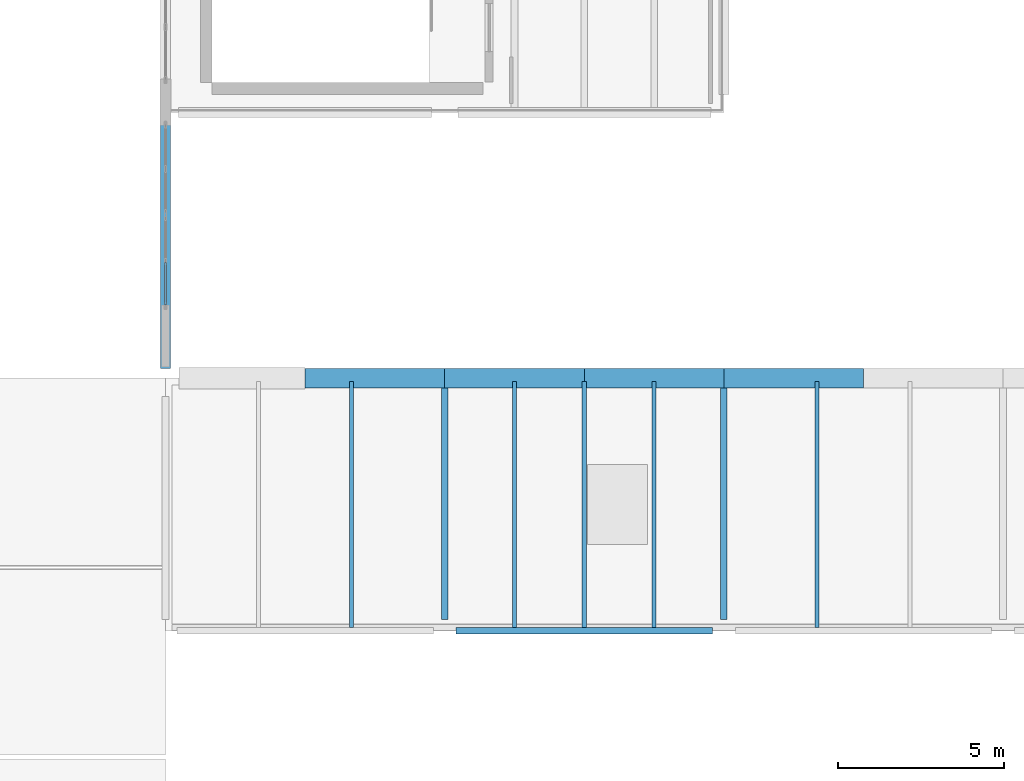
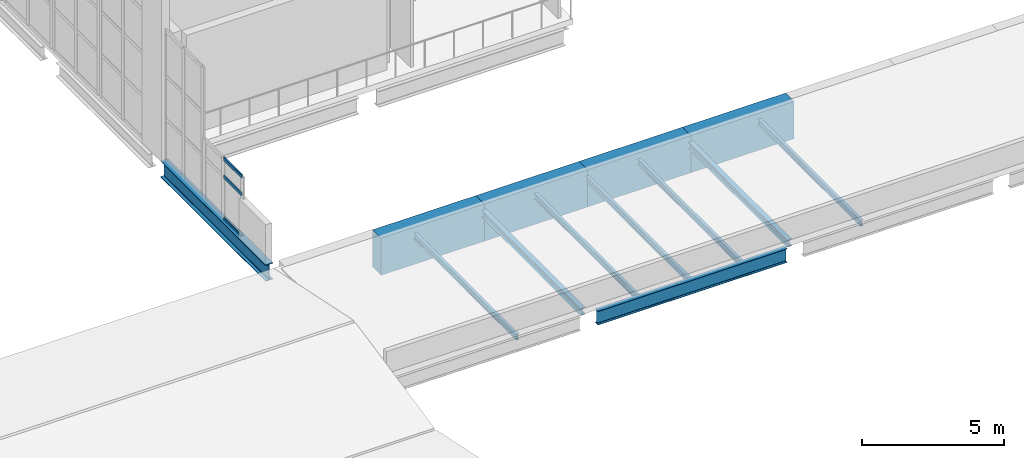
# One storey, part 8 of 37: 13 beams, 3 members, 1 element without a shape of its own.
"""IFC4 building model written with IfcOpenShell, lengths in metres."""

from ifc_helpers import new_model, si_unit, direction, frame, origin, origin_2d, place, context, subcontext, project, spatial, rectangle, hollow_rectangle, i_section, extrude, material, material_profile, profile_set, type_object, element, aggregate, save


model = new_model("IFC4")

# Units and contexts
model_context = context("Model", 3, precision=1e-05, world=origin(), true_north=direction((0.0, 1.0)))
body_context = subcontext(model_context, "Body", "Model", "MODEL_VIEW")
ifc_project = project(units=[si_unit("LENGTHUNIT", "METRE"), si_unit("AREAUNIT", "SQUARE_METRE"), si_unit("VOLUMEUNIT", "CUBIC_METRE"), si_unit("PLANEANGLEUNIT", "RADIAN"), si_unit("MASSUNIT", "GRAM", prefix="KILO")], contexts=[model_context])

# Site, building, storey
site_placement = place(None, origin())
site = spatial("IfcSite", under=ifc_project, at=site_placement, CompositionType="ELEMENT")
building_placement = place(site_placement, origin())
building = spatial("IfcBuilding", under=site, at=building_placement, Name="Shengluoqiao Park Theatre", CompositionType="ELEMENT")
storey_placement = place(building_placement, frame((0.0, 0.0, 19.199951171875)))
storey = spatial("IfcBuildingStorey", under=building, at=storey_placement, Name="L04", CompositionType="ELEMENT", Elevation=19.199951171875)

# Curtain wall, members
ifc_material_1 = material(Name="Aluminium 6063-T6", Category="aluminium")
curtain_wall_type = type_object("IfcCurtainWallType", Name="ENV-CW-CLERE", PredefinedType="NOTDEFINED", material=ifc_material_1)
curtain_wall_placement = place(storey_placement, origin())
curtain_wall = element("IfcCurtainWall", 1, at=curtain_wall_placement, inside=storey, type_object=curtain_wall_type, Name="L04 Curtain Wall CW-L04-GABLE-0220", PredefinedType="NOTDEFINED")
ifc_material_profile_1 = material_profile(ifc_material_1, hollow_rectangle(XDim=0.06494140625, YDim=0.14990234375, WallThickness=0.00390625, InnerFilletRadius=0.00390625, OuterFilletRadius=0.008056640625, at=origin_2d()), Name="ALU TRANSOM 150x65x4")
ifc_profile_set_1 = profile_set([ifc_material_profile_1], Name="Aluminium 6063-T6")
member_type = type_object("IfcMemberType", Name="ENV-TRN-150", PredefinedType="USERDEFINED", material=ifc_profile_set_1)
member_1_placement = place(storey_placement, frame((44.39990234375, 78.205078125, 0.032470703125), z_axis=(0.0, 1.0, 0.0), x_axis=(-1.0, 0.0, 0.0)))
member_1 = element("IfcMember", 2, at=member_1_placement, type_object=member_type, Name="CW-06 transom 1.1", ObjectType="TRANSOM", PredefinedType="USERDEFINED", context=body_context, shape_type="SweptSolid", body=[
    extrude(hollow_rectangle(XDim=0.06494140625, YDim=0.14990234375, WallThickness=0.00390625, InnerFilletRadius=0.00390625, OuterFilletRadius=0.008056640625, at=origin_2d()), origin(), (0.0, 0.0, 1.0), 1.2724609375),
])
member_2_placement = place(storey_placement, frame((44.39990234375, 78.205078125, 1.85009765625), z_axis=(0.0, 1.0, 0.0), x_axis=(-1.0, 0.0, 0.0)))
member_2 = element("IfcMember", 3, at=member_2_placement, type_object=member_type, Name="CW-06 transom 1.2", ObjectType="TRANSOM", PredefinedType="USERDEFINED", context=body_context, shape_type="SweptSolid", body=[
    extrude(hollow_rectangle(XDim=0.06494140625, YDim=0.14990234375, WallThickness=0.00390625, InnerFilletRadius=0.00390625, OuterFilletRadius=0.008056640625, at=origin_2d()), origin(), (0.0, 0.0, 1.0), 1.2724609375),
])
member_3_placement = place(storey_placement, frame((44.39990234375, 78.205078125, 2.60595703125), z_axis=(0.0, 1.0, 0.0), x_axis=(-1.0, 0.0, 0.0)))
member_3 = element("IfcMember", 4, at=member_3_placement, type_object=member_type, Name="CW-06 transom 1.3", ObjectType="TRANSOM", PredefinedType="USERDEFINED", context=body_context, shape_type="SweptSolid", body=[
    extrude(hollow_rectangle(XDim=0.06494140625, YDim=0.14990234375, WallThickness=0.00390625, InnerFilletRadius=0.00390625, OuterFilletRadius=0.008056640625, at=origin_2d()), origin(), (0.0, 0.0, 1.0), 1.2724609375),
])
aggregate(curtain_wall, [member_1, member_2, member_3])

# Beams
ifc_material_2 = material(Name="Concrete C50", Category="concrete")
ifc_material_profile_2 = material_profile(ifc_material_2, rectangle(XDim=0.60009765625, YDim=1.60009765625, at=origin_2d()), Name="RC EDGE 600x1600")
ifc_profile_set_2 = profile_set([ifc_material_profile_2], Name="Concrete C50")
beam_type_1 = type_object("IfcBeamType", Name="STR-BM-EB-6016", PredefinedType="BEAM", material=ifc_profile_set_2)
for number, where, z_axis, x_axis, name in (
    (5, (48.60009765625, 76.0, -0.800048828125), (1.0, 0.0, 0.0), (0.0, 1.0, 0.0), "Barrel-Shell Form I Edge Beam S-02"),
    (6, (52.800048828125, 76.0, -0.800048828125), (1.0, 0.0, 0.0), (0.0, 1.0, 0.0), "Barrel-Shell Form I Edge Beam S-03"),
    (7, (57.0, 76.0, -0.800048828125), (1.0, 0.0, 0.0), (0.0, 1.0, 0.0), "Barrel-Shell Form I Edge Beam S-04"),
    (8, (61.199951171875, 76.0, -0.800048828125), (1.0, 0.0, 0.0), (0.0, 1.0, 0.0), "Barrel-Shell Form I Edge Beam S-05"),
):
    element("IfcBeam", number, at=place(storey_placement, frame(where, z_axis=z_axis, x_axis=x_axis)), inside=storey, type_object=beam_type_1, Name=name, PredefinedType="BEAM", context=body_context, shape_type="SweptSolid", body=[
        extrude(rectangle(XDim=0.60009765625, YDim=1.60009765625, at=origin_2d()), origin(), (0.0, 0.0, 1.0), 4.199951171875),
    ])
ifc_material_3 = material(Name="Steel Q355", Category="steel")
ifc_material_profile_3 = material_profile(ifc_material_3, i_section(OverallWidth=0.199951171875, OverallDepth=0.2939453125, WebThickness=0.008056640625, FlangeThickness=0.011962890625, FilletRadius=0.01611328125, at=origin_2d()), Name="HM 294x200x8x12")
ifc_profile_set_3 = profile_set([ifc_material_profile_3], Name="Steel Q355")
beam_type_2 = type_object("IfcBeamType", Name="STR-BM-G-HM294", PredefinedType="BEAM", material=ifc_profile_set_3)
for number, where, z_axis, x_axis, name in (
    (9, (52.800048828125, 68.743896484375, -0.39697265625), (0.0, 1.0, 0.0), (-1.0, 0.0, 0.0), "L04 Transverse Girder 01982"),
    (10, (61.199951171875, 68.743896484375, -0.39697265625), (0.0, 1.0, 0.0), (-1.0, 0.0, 0.0), "L04 Transverse Girder 01983"),
):
    element("IfcBeam", number, at=place(storey_placement, frame(where, z_axis=z_axis, x_axis=x_axis)), inside=storey, type_object=beam_type_2, Name=name, PredefinedType="BEAM", context=body_context, shape_type="SweptSolid", body=[
        extrude(i_section(OverallWidth=0.199951171875, OverallDepth=0.2939453125, WebThickness=0.008056640625, FlangeThickness=0.011962890625, FilletRadius=0.01611328125, at=origin_2d()), origin(), (0.0, 0.0, 1.0), 6.97705078125),
    ])
ifc_material_4 = material(Name="Steel Q390", Category="steel")
ifc_material_profile_4 = material_profile(ifc_material_4, i_section(OverallWidth=0.300048828125, OverallDepth=0.699951171875, WebThickness=0.012939453125, FlangeThickness=0.02392578125, FilletRadius=0.02392578125, at=origin_2d()), Name="HN 700x300x13x24")
ifc_profile_set_4 = profile_set([ifc_material_profile_4], Name="Steel Q390")
beam_type_3 = type_object("IfcBeamType", Name="STR-BM-G-HN700", PredefinedType="BEAM", material=ifc_profile_set_4)
beam_1_placement = place(storey_placement, frame((44.39990234375, 76.300048828125, -0.349853515625), z_axis=(0.0, 1.0, 0.0), x_axis=(-1.0, 0.0, 0.0)))
element("IfcBeam", 11, at=beam_1_placement, inside=storey, type_object=beam_type_3, Name="V1 West Gable Sill Girder Y76", PredefinedType="BEAM", context=body_context, shape_type="SweptSolid", body=[
    extrude(i_section(OverallWidth=0.300048828125, OverallDepth=0.699951171875, WebThickness=0.012939453125, FlangeThickness=0.02392578125, FilletRadius=0.02392578125, at=origin_2d()), origin(), (0.0, 0.0, 1.0), 7.39990234375),
])
ifc_material_profile_5 = material_profile(ifc_material_3, i_section(OverallWidth=0.125, OverallDepth=0.25, WebThickness=0.006103515625, FlangeThickness=0.009033203125, FilletRadius=0.010009765625, at=origin_2d()), Name="HN 250x125x6x9")
ifc_profile_set_5 = profile_set([ifc_material_profile_5], Name="Steel Q355")
beam_type_4 = type_object("IfcBeamType", Name="STR-BM-J-HN250", PredefinedType="JOIST", material=ifc_profile_set_5)
for number, where, z_axis, x_axis, name in (
    (12, (50.0, 68.494384765625, -0.375), (0.0, 1.0, 0.0), (-1.0, 0.0, 0.0), "L04 Composite Joist 01988"),
    (13, (54.89990234375, 68.494384765625, -0.375), (0.0, 1.0, 0.0), (-1.0, 0.0, 0.0), "L04 Composite Joist 01989"),
    (14, (57.0, 68.494384765625, -0.375), (0.0, 1.0, 0.0), (-1.0, 0.0, 0.0), "L04 Composite Joist 01990"),
    (15, (59.10009765625, 68.494384765625, -0.375), (0.0, 1.0, 0.0), (-1.0, 0.0, 0.0), "L04 Composite Joist 01991"),
    (16, (64.0, 68.494384765625, -0.375), (0.0, 1.0, 0.0), (-1.0, 0.0, 0.0), "L04 Composite Joist 01992"),
):
    element("IfcBeam", number, at=place(storey_placement, frame(where, z_axis=z_axis, x_axis=x_axis)), inside=storey, type_object=beam_type_4, Name=name, PredefinedType="JOIST", context=body_context, shape_type="SweptSolid", body=[
        extrude(i_section(OverallWidth=0.125, OverallDepth=0.25, WebThickness=0.006103515625, FlangeThickness=0.009033203125, FilletRadius=0.010009765625, at=origin_2d()), origin(), (0.0, 0.0, 1.0), 7.4111328125),
    ])
ifc_material_profile_6 = material_profile(ifc_material_3, i_section(OverallWidth=0.198974609375, OverallDepth=0.595947265625, WebThickness=0.010009765625, FlangeThickness=0.014892578125, FilletRadius=0.02001953125, at=origin_2d()), Name="HN 596x199x10x15")
ifc_profile_set_6 = profile_set([ifc_material_profile_6], Name="Steel Q355")
beam_type_5 = type_object("IfcBeamType", Name="STR-BM-SP-HN596", PredefinedType="SPANDREL", material=ifc_profile_set_6)
beam_2_placement = place(storey_placement, frame((53.14404296875, 68.39990234375, -0.5478515625), z_axis=(1.0, 0.0, 0.0), x_axis=(0.0, 1.0, 0.0)))
element("IfcBeam", 17, at=beam_2_placement, inside=storey, type_object=beam_type_5, Name="L04 Primary Girder 01977", PredefinedType="SPANDREL", context=body_context, shape_type="SweptSolid", body=[
    extrude(i_section(OverallWidth=0.198974609375, OverallDepth=0.595947265625, WebThickness=0.010009765625, FlangeThickness=0.014892578125, FilletRadius=0.02001953125, at=origin_2d()), origin(), (0.0, 0.0, 1.0), 7.7119140625),
])

save(model, "model.ifc")
